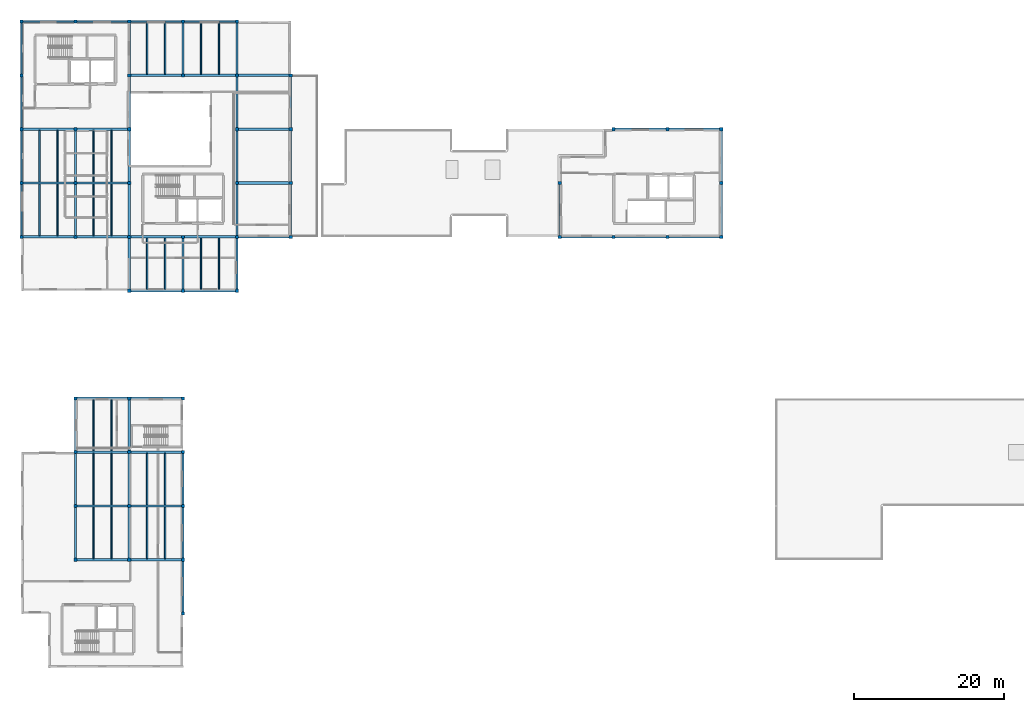
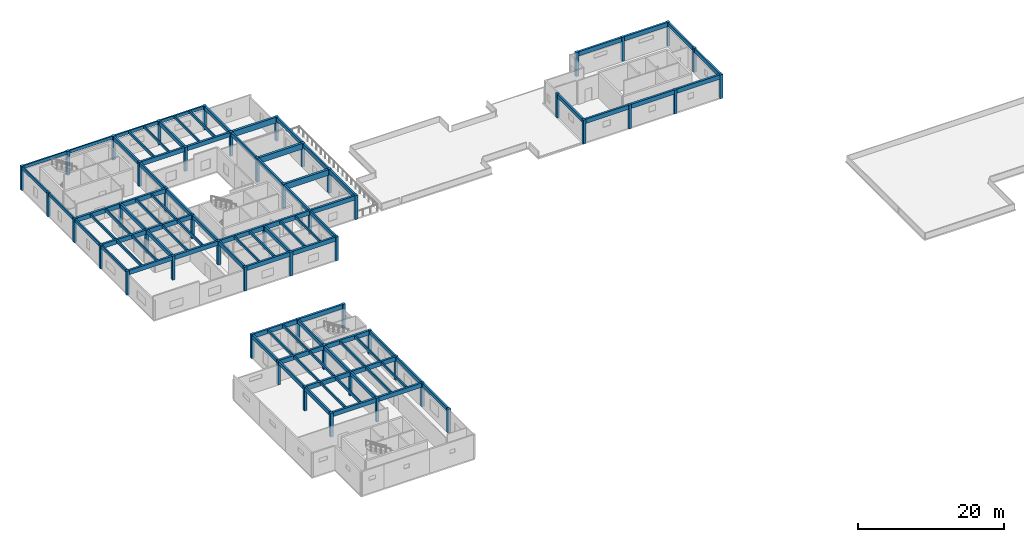
# One storey, part 1 of 15: 92 beams, 51 columns.
"""IFC4 building model written with IfcOpenShell, lengths in metres."""

from ifc_helpers import new_model, si_unit, direction, frame, origin, origin_2d, place, context, subcontext, project, spatial, rectangle, extrude, material, material_profile, profile_set, type_object, element, save


model = new_model("IFC4")

# Units and contexts
model_context = context("Model", 3, precision=1e-05, world=origin(), true_north=direction((0.0, 1.0)))
body_context = subcontext(model_context, "Body", "Model", "MODEL_VIEW")
ifc_project = project(units=[si_unit("LENGTHUNIT", "METRE"), si_unit("AREAUNIT", "SQUARE_METRE"), si_unit("VOLUMEUNIT", "CUBIC_METRE"), si_unit("PLANEANGLEUNIT", "RADIAN"), si_unit("MASSUNIT", "GRAM", prefix="KILO")], contexts=[model_context])

# Site, building, storey
site_placement = place(None, origin())
site = spatial("IfcSite", under=ifc_project, at=site_placement, CompositionType="ELEMENT")
building_placement = place(site_placement, origin())
building = spatial("IfcBuilding", under=site, at=building_placement, Name="Bramvelor Terrace Health Centre", CompositionType="ELEMENT")
storey_placement = place(building_placement, frame((0.0, 0.0, 13.5)))
storey = spatial("IfcBuildingStorey", under=building, at=storey_placement, Name="L04", CompositionType="ELEMENT", Elevation=13.5)

# Columns
ifc_material_1 = material(Name="Glulam GL28h", Category="wood")
ifc_material_profile_1 = material_profile(ifc_material_1, rectangle(XDim=0.419921875, YDim=0.419921875, at=origin_2d()), Name="GL 420x420")
ifc_profile_set_1 = profile_set([ifc_material_profile_1], Name="Glulam GL28h")
column_type_1 = type_object("IfcColumnType", Name="COL-GL-420", PredefinedType="COLUMN", material=ifc_profile_set_1)
for number, where, z_axis, x_axis, name in (
    (1, (7.199951171875, 43.199951171875, 0.0), (0.0, 0.0, 1.0), (1.0, 0.0, 0.0), "L04 Column (7.2, 43.2)"),
    (2, (7.199951171875, 50.39990234375, 0.0), (0.0, 0.0, 1.0), (1.0, 0.0, 0.0), "L04 Column (7.2, 50.4)"),
    (3, (7.199951171875, 57.60009765625, 0.0), (0.0, 0.0, 1.0), (1.0, 0.0, 0.0), "L04 Column (7.2, 57.6)"),
    (4, (7.199951171875, 64.800048828125, 0.0), (0.0, 0.0, 1.0), (1.0, 0.0, 0.0), "L04 Column (7.2, 64.8)"),
    (5, (7.199951171875, 86.39990234375, 0.0), (0.0, 0.0, 1.0), (1.0, 0.0, 0.0), "L04 Column (7.2, 86.4)"),
    (6, (7.199951171875, 93.60009765625, 0.0), (0.0, 0.0, 1.0), (1.0, 0.0, 0.0), "L04 Column (7.2, 93.6)"),
    (7, (7.199951171875, 100.800048828125, 0.0), (0.0, 0.0, 1.0), (1.0, 0.0, 0.0), "L04 Column (7.2, 100.8)"),
    (8, (14.39990234375, 43.199951171875, 0.0), (0.0, 0.0, 1.0), (1.0, 0.0, 0.0), "L04 Column (14.4, 43.2)"),
    (9, (14.39990234375, 50.39990234375, 0.0), (0.0, 0.0, 1.0), (1.0, 0.0, 0.0), "L04 Column (14.4, 50.4)"),
    (10, (14.39990234375, 57.60009765625, 0.0), (0.0, 0.0, 1.0), (1.0, 0.0, 0.0), "L04 Column (14.4, 57.6)"),
    (11, (14.39990234375, 64.800048828125, 0.0), (0.0, 0.0, 1.0), (1.0, 0.0, 0.0), "L04 Column (14.4, 64.8)"),
    (12, (14.39990234375, 79.199951171875, 0.0), (0.0, 0.0, 1.0), (1.0, 0.0, 0.0), "L04 Column (14.4, 79.2)"),
    (13, (14.39990234375, 86.39990234375, 0.0), (0.0, 0.0, 1.0), (1.0, 0.0, 0.0), "L04 Column (14.4, 86.4)"),
    (14, (14.39990234375, 93.60009765625, 0.0), (0.0, 0.0, 1.0), (1.0, 0.0, 0.0), "L04 Column (14.4, 93.6)"),
    (15, (14.39990234375, 100.800048828125, 0.0), (0.0, 0.0, 1.0), (1.0, 0.0, 0.0), "L04 Column (14.4, 100.8)"),
    (16, (14.39990234375, 108.0, 0.0), (0.0, 0.0, 1.0), (1.0, 0.0, 0.0), "L04 Column (14.4, 108.0)"),
    (17, (21.60009765625, 36.0, 0.0), (0.0, 0.0, 1.0), (1.0, 0.0, 0.0), "L04 Column (21.6, 36.0)"),
    (18, (21.60009765625, 43.199951171875, 0.0), (0.0, 0.0, 1.0), (1.0, 0.0, 0.0), "L04 Column (21.6, 43.2)"),
    (19, (21.60009765625, 50.39990234375, 0.0), (0.0, 0.0, 1.0), (1.0, 0.0, 0.0), "L04 Column (21.6, 50.4)"),
    (20, (21.60009765625, 57.60009765625, 0.0), (0.0, 0.0, 1.0), (1.0, 0.0, 0.0), "L04 Column (21.6, 57.6)"),
    (21, (21.60009765625, 64.800048828125, 0.0), (0.0, 0.0, 1.0), (1.0, 0.0, 0.0), "L04 Column (21.6, 64.8)"),
    (22, (21.60009765625, 79.199951171875, 0.0), (0.0, 0.0, 1.0), (1.0, 0.0, 0.0), "L04 Column (21.6, 79.2)"),
    (23, (21.60009765625, 86.39990234375, 0.0), (0.0, 0.0, 1.0), (1.0, 0.0, 0.0), "L04 Column (21.6, 86.4)"),
    (24, (21.60009765625, 108.0, 0.0), (0.0, 0.0, 1.0), (1.0, 0.0, 0.0), "L04 Column (21.6, 108.0)"),
    (25, (28.800048828125, 79.199951171875, 0.0), (0.0, 0.0, 1.0), (1.0, 0.0, 0.0), "L04 Column (28.8, 79.2)"),
    (26, (28.800048828125, 86.39990234375, 0.0), (0.0, 0.0, 1.0), (1.0, 0.0, 0.0), "L04 Column (28.8, 86.4)"),
    (27, (28.800048828125, 93.60009765625, 0.0), (0.0, 0.0, 1.0), (1.0, 0.0, 0.0), "L04 Column (28.8, 93.6)"),
    (28, (28.800048828125, 100.800048828125, 0.0), (0.0, 0.0, 1.0), (1.0, 0.0, 0.0), "L04 Column (28.8, 100.8)"),
    (29, (28.800048828125, 108.0, 0.0), (0.0, 0.0, 1.0), (1.0, 0.0, 0.0), "L04 Column (28.8, 108.0)"),
):
    element("IfcColumn", number, at=place(storey_placement, frame(where, z_axis=z_axis, x_axis=x_axis)), inside=storey, type_object=column_type_1, Name=name, PredefinedType="COLUMN", context=body_context, shape_type="SweptSolid", body=[
        extrude(rectangle(XDim=0.419921875, YDim=0.419921875, at=origin_2d()), origin(), (0.0, 0.0, 1.0), 3.989990234375),
    ])
for number, where, z_axis, x_axis, name in (
    (30, (36.0, 86.39990234375, 0.0), (0.0, 0.0, 1.0), (1.0, 0.0, 0.0), "L04 Column (36.0, 86.4)"),
    (31, (36.0, 93.60009765625, 0.0), (0.0, 0.0, 1.0), (1.0, 0.0, 0.0), "L04 Column (36.0, 93.6)"),
    (32, (36.0, 100.800048828125, 0.0), (0.0, 0.0, 1.0), (1.0, 0.0, 0.0), "L04 Column (36.0, 100.8)"),
    (33, (36.0, 108.0, 0.0), (0.0, 0.0, 1.0), (1.0, 0.0, 0.0), "L04 Column (36.0, 108.0)"),
):
    element("IfcColumn", number, at=place(storey_placement, frame(where, z_axis=z_axis, x_axis=x_axis)), inside=storey, type_object=column_type_1, Name=name, PredefinedType="COLUMN", context=body_context, shape_type="SweptSolid", body=[
        extrude(rectangle(XDim=0.419921875, YDim=0.419921875, at=origin_2d()), origin(), (0.0, 0.0, 1.0), 4.0),
    ])
for number, where, z_axis, x_axis, name in (
    (34, (72.0, 86.39990234375, 0.0), (0.0, 0.0, 1.0), (1.0, 0.0, 0.0), "L04 Column (72.0, 86.4)"),
    (35, (72.0, 93.60009765625, 0.0), (0.0, 0.0, 1.0), (1.0, 0.0, 0.0), "L04 Column (72.0, 93.6)"),
    (36, (79.199951171875, 86.39990234375, 0.0), (0.0, 0.0, 1.0), (1.0, 0.0, 0.0), "L04 Column (79.2, 86.4)"),
    (37, (79.199951171875, 100.800048828125, 0.0), (0.0, 0.0, 1.0), (1.0, 0.0, 0.0), "L04 Column (79.2, 100.8)"),
    (38, (86.39990234375, 86.39990234375, 0.0), (0.0, 0.0, 1.0), (1.0, 0.0, 0.0), "L04 Column (86.4, 86.4)"),
    (39, (86.39990234375, 100.800048828125, 0.0), (0.0, 0.0, 1.0), (1.0, 0.0, 0.0), "L04 Column (86.4, 100.8)"),
    (40, (93.60009765625, 86.39990234375, 0.0), (0.0, 0.0, 1.0), (1.0, 0.0, 0.0), "L04 Column (93.6, 86.4)"),
    (41, (93.60009765625, 93.60009765625, 0.0), (0.0, 0.0, 1.0), (1.0, 0.0, 0.0), "L04 Column (93.6, 93.6)"),
    (42, (93.60009765625, 100.800048828125, 0.0), (0.0, 0.0, 1.0), (1.0, 0.0, 0.0), "L04 Column (93.6, 100.8)"),
):
    element("IfcColumn", number, at=place(storey_placement, frame(where, z_axis=z_axis, x_axis=x_axis)), inside=storey, type_object=column_type_1, Name=name, PredefinedType="COLUMN", context=body_context, shape_type="SweptSolid", body=[
        extrude(rectangle(XDim=0.419921875, YDim=0.419921875, at=origin_2d()), origin(), (0.0, 0.0, 1.0), 3.989990234375),
    ])
ifc_material_2 = material(Name="Glulam GL28h", Category="wood")
ifc_material_profile_2 = material_profile(ifc_material_2, rectangle(XDim=0.419921875, YDim=0.419921875, at=origin_2d()), Name="GL 420x420")
ifc_profile_set_2 = profile_set([ifc_material_profile_2], Name="Glulam GL28h")
column_type_2 = type_object("IfcColumnType", Name="COL-GL-420-EXT", PredefinedType="COLUMN", material=ifc_profile_set_2)
for number, where, z_axis, x_axis, name in (
    (43, (0.0, 86.39990234375, 0.0), (0.0, 0.0, 1.0), (1.0, 0.0, 0.0), "L04 Column (0.0, 86.4)"),
    (44, (0.0, 93.60009765625, 0.0), (0.0, 0.0, 1.0), (1.0, 0.0, 0.0), "L04 Column (0.0, 93.6)"),
    (45, (0.0, 100.800048828125, 0.0), (0.0, 0.0, 1.0), (1.0, 0.0, 0.0), "L04 Column (0.0, 100.8)"),
    (46, (0.0, 108.0, 0.0), (0.0, 0.0, 1.0), (1.0, 0.0, 0.0), "L04 Column (0.0, 108.0)"),
    (47, (0.0, 115.199951171875, 0.0), (0.0, 0.0, 1.0), (1.0, 0.0, 0.0), "L04 Column (0.0, 115.2)"),
    (48, (7.199951171875, 115.199951171875, 0.0), (0.0, 0.0, 1.0), (1.0, 0.0, 0.0), "L04 Column (7.2, 115.2)"),
    (49, (14.39990234375, 115.199951171875, 0.0), (0.0, 0.0, 1.0), (1.0, 0.0, 0.0), "L04 Column (14.4, 115.2)"),
    (50, (21.60009765625, 115.199951171875, 0.0), (0.0, 0.0, 1.0), (1.0, 0.0, 0.0), "L04 Column (21.6, 115.2)"),
    (51, (28.800048828125, 115.199951171875, 0.0), (0.0, 0.0, 1.0), (1.0, 0.0, 0.0), "L04 Column (28.8, 115.2)"),
):
    element("IfcColumn", number, at=place(storey_placement, frame(where, z_axis=z_axis, x_axis=x_axis)), inside=storey, type_object=column_type_2, Name=name, PredefinedType="COLUMN", context=body_context, shape_type="SweptSolid", body=[
        extrude(rectangle(XDim=0.419921875, YDim=0.419921875, at=origin_2d()), origin(), (0.0, 0.0, 1.0), 3.989990234375),
    ])

# Beams
ifc_material_3 = material(Name="Glulam GL28h", Category="wood")
ifc_material_profile_3 = material_profile(ifc_material_3, rectangle(XDim=0.280029296875, YDim=0.639892578125, at=origin_2d()), Name="GL 280x640")
ifc_profile_set_3 = profile_set([ifc_material_profile_3], Name="Glulam GL28h")
beam_type_1 = type_object("IfcBeamType", Name="BM-GL-G640", PredefinedType="BEAM", material=ifc_profile_set_3)
beam_1_placement = place(storey_placement, frame((7.199951171875, 43.409912109375, 3.669921875), z_axis=(0.0, 1.0, 0.0), x_axis=(-1.0, 0.0, 0.0)))
element("IfcBeam", 52, at=beam_1_placement, inside=storey, type_object=beam_type_1, Name="L04 Floor Girder", PredefinedType="BEAM", context=body_context, shape_type="SweptSolid", body=[
    extrude(rectangle(XDim=0.280029296875, YDim=0.639892578125, at=origin_2d()), origin(), (0.0, 0.0, 1.0), 6.780029296875),
])
beam_2_placement = place(storey_placement, frame((7.199951171875, 50.610107421875, 3.669921875), z_axis=(0.0, 1.0, 0.0), x_axis=(-1.0, 0.0, 0.0)))
element("IfcBeam", 53, at=beam_2_placement, inside=storey, type_object=beam_type_1, Name="L04 Floor Girder", PredefinedType="BEAM", context=body_context, shape_type="SweptSolid", body=[
    extrude(rectangle(XDim=0.280029296875, YDim=0.639892578125, at=origin_2d()), origin(), (0.0, 0.0, 1.0), 6.77978515625),
])
beam_3_placement = place(storey_placement, frame((7.199951171875, 57.81005859375, 3.669921875), z_axis=(0.0, 1.0, 0.0), x_axis=(-1.0, 0.0, 0.0)))
element("IfcBeam", 54, at=beam_3_placement, inside=storey, type_object=beam_type_1, Name="L04 Floor Girder", PredefinedType="BEAM", context=body_context, shape_type="SweptSolid", body=[
    extrude(rectangle(XDim=0.280029296875, YDim=0.639892578125, at=origin_2d()), origin(), (0.0, 0.0, 1.0), 6.780029296875),
])
beam_4_placement = place(storey_placement, frame((7.199951171875, 86.610107421875, 3.669921875), z_axis=(0.0, 1.0, 0.0), x_axis=(-1.0, 0.0, 0.0)))
element("IfcBeam", 55, at=beam_4_placement, inside=storey, type_object=beam_type_1, Name="L04 Floor Girder", PredefinedType="BEAM", context=body_context, shape_type="SweptSolid", body=[
    extrude(rectangle(XDim=0.280029296875, YDim=0.639892578125, at=origin_2d()), origin(), (0.0, 0.0, 1.0), 6.77978515625),
])
for number, where, z_axis, x_axis, name in (
    (56, (7.199951171875, 93.81005859375, 3.669921875), (0.0, 1.0, 0.0), (-1.0, 0.0, 0.0), "L04 Floor Girder"),
    (57, (14.39990234375, 43.409912109375, 3.669921875), (0.0, 1.0, 0.0), (-1.0, 0.0, 0.0), "L04 Floor Girder"),
):
    element("IfcBeam", number, at=place(storey_placement, frame(where, z_axis=z_axis, x_axis=x_axis)), inside=storey, type_object=beam_type_1, Name=name, PredefinedType="BEAM", context=body_context, shape_type="SweptSolid", body=[
        extrude(rectangle(XDim=0.280029296875, YDim=0.639892578125, at=origin_2d()), origin(), (0.0, 0.0, 1.0), 6.780029296875),
    ])
beam_5_placement = place(storey_placement, frame((14.39990234375, 50.610107421875, 3.669921875), z_axis=(0.0, 1.0, 0.0), x_axis=(-1.0, 0.0, 0.0)))
element("IfcBeam", 58, at=beam_5_placement, inside=storey, type_object=beam_type_1, Name="L04 Floor Girder", PredefinedType="BEAM", context=body_context, shape_type="SweptSolid", body=[
    extrude(rectangle(XDim=0.280029296875, YDim=0.639892578125, at=origin_2d()), origin(), (0.0, 0.0, 1.0), 6.77978515625),
])
for number, where, z_axis, x_axis, name in (
    (59, (14.39990234375, 57.81005859375, 3.669921875), (0.0, 1.0, 0.0), (-1.0, 0.0, 0.0), "L04 Floor Girder"),
    (60, (14.39990234375, 79.409912109375, 3.669921875), (0.0, 1.0, 0.0), (-1.0, 0.0, 0.0), "L04 Floor Girder"),
):
    element("IfcBeam", number, at=place(storey_placement, frame(where, z_axis=z_axis, x_axis=x_axis)), inside=storey, type_object=beam_type_1, Name=name, PredefinedType="BEAM", context=body_context, shape_type="SweptSolid", body=[
        extrude(rectangle(XDim=0.280029296875, YDim=0.639892578125, at=origin_2d()), origin(), (0.0, 0.0, 1.0), 6.780029296875),
    ])
beam_6_placement = place(storey_placement, frame((14.39990234375, 86.610107421875, 3.669921875), z_axis=(0.0, 1.0, 0.0), x_axis=(-1.0, 0.0, 0.0)))
element("IfcBeam", 61, at=beam_6_placement, inside=storey, type_object=beam_type_1, Name="L04 Floor Girder", PredefinedType="BEAM", context=body_context, shape_type="SweptSolid", body=[
    extrude(rectangle(XDim=0.280029296875, YDim=0.639892578125, at=origin_2d()), origin(), (0.0, 0.0, 1.0), 6.77978515625),
])
for number, where, z_axis, x_axis, name in (
    (62, (14.39990234375, 93.81005859375, 3.669921875), (0.0, 1.0, 0.0), (-1.0, 0.0, 0.0), "L04 Floor Girder"),
    (63, (14.39990234375, 101.010009765625, 3.669921875), (0.0, 1.0, 0.0), (-1.0, 0.0, 0.0), "L04 Floor Girder"),
    (64, (14.39990234375, 108.2099609375, 3.669921875), (0.0, 1.0, 0.0), (-1.0, 0.0, 0.0), "L04 Floor Girder"),
    (65, (21.60009765625, 36.2099609375, 3.669921875), (0.0, 1.0, 0.0), (-1.0, 0.0, 0.0), "L04 Floor Girder"),
    (66, (21.60009765625, 43.409912109375, 3.669921875), (0.0, 1.0, 0.0), (-1.0, 0.0, 0.0), "L04 Floor Girder"),
):
    element("IfcBeam", number, at=place(storey_placement, frame(where, z_axis=z_axis, x_axis=x_axis)), inside=storey, type_object=beam_type_1, Name=name, PredefinedType="BEAM", context=body_context, shape_type="SweptSolid", body=[
        extrude(rectangle(XDim=0.280029296875, YDim=0.639892578125, at=origin_2d()), origin(), (0.0, 0.0, 1.0), 6.780029296875),
    ])
beam_7_placement = place(storey_placement, frame((21.60009765625, 50.610107421875, 3.669921875), z_axis=(0.0, 1.0, 0.0), x_axis=(-1.0, 0.0, 0.0)))
element("IfcBeam", 67, at=beam_7_placement, inside=storey, type_object=beam_type_1, Name="L04 Floor Girder", PredefinedType="BEAM", context=body_context, shape_type="SweptSolid", body=[
    extrude(rectangle(XDim=0.280029296875, YDim=0.639892578125, at=origin_2d()), origin(), (0.0, 0.0, 1.0), 6.77978515625),
])
for number, where, z_axis, x_axis, name in (
    (68, (21.60009765625, 79.409912109375, 3.669921875), (0.0, 1.0, 0.0), (-1.0, 0.0, 0.0), "L04 Floor Girder"),
    (69, (21.60009765625, 108.2099609375, 3.669921875), (0.0, 1.0, 0.0), (-1.0, 0.0, 0.0), "L04 Floor Girder"),
    (70, (28.800048828125, 79.409912109375, 3.669921875), (0.0, 1.0, 0.0), (-1.0, 0.0, 0.0), "L04 Floor Girder"),
):
    element("IfcBeam", number, at=place(storey_placement, frame(where, z_axis=z_axis, x_axis=x_axis)), inside=storey, type_object=beam_type_1, Name=name, PredefinedType="BEAM", context=body_context, shape_type="SweptSolid", body=[
        extrude(rectangle(XDim=0.280029296875, YDim=0.639892578125, at=origin_2d()), origin(), (0.0, 0.0, 1.0), 6.780029296875),
    ])
beam_8_placement = place(storey_placement, frame((28.800048828125, 86.610107421875, 3.669921875), z_axis=(0.0, 1.0, 0.0), x_axis=(-1.0, 0.0, 0.0)))
element("IfcBeam", 71, at=beam_8_placement, inside=storey, type_object=beam_type_1, Name="L04 Floor Girder", PredefinedType="BEAM", context=body_context, shape_type="SweptSolid", body=[
    extrude(rectangle(XDim=0.280029296875, YDim=0.639892578125, at=origin_2d()), origin(), (0.0, 0.0, 1.0), 6.77978515625),
])
for number, where, z_axis, x_axis, name in (
    (72, (28.800048828125, 93.81005859375, 3.669921875), (0.0, 1.0, 0.0), (-1.0, 0.0, 0.0), "L04 Floor Girder"),
    (73, (28.800048828125, 101.010009765625, 3.669921875), (0.0, 1.0, 0.0), (-1.0, 0.0, 0.0), "L04 Floor Girder"),
    (74, (28.800048828125, 108.2099609375, 3.669921875), (0.0, 1.0, 0.0), (-1.0, 0.0, 0.0), "L04 Floor Girder"),
):
    element("IfcBeam", number, at=place(storey_placement, frame(where, z_axis=z_axis, x_axis=x_axis)), inside=storey, type_object=beam_type_1, Name=name, PredefinedType="BEAM", context=body_context, shape_type="SweptSolid", body=[
        extrude(rectangle(XDim=0.280029296875, YDim=0.639892578125, at=origin_2d()), origin(), (0.0, 0.0, 1.0), 6.780029296875),
    ])
beam_9_placement = place(storey_placement, frame((36.0, 86.610107421875, 3.679931640625), z_axis=(0.0, 1.0, 0.0), x_axis=(-1.0, 0.0, 0.0)))
element("IfcBeam", 75, at=beam_9_placement, inside=storey, type_object=beam_type_1, Name="L04 Floor Girder", PredefinedType="BEAM", context=body_context, shape_type="SweptSolid", body=[
    extrude(rectangle(XDim=0.280029296875, YDim=0.639892578125, at=origin_2d()), origin(), (0.0, 0.0, 1.0), 6.77978515625),
])
for number, where, z_axis, x_axis, name in (
    (76, (36.0, 93.81005859375, 3.679931640625), (0.0, 1.0, 0.0), (-1.0, 0.0, 0.0), "L04 Floor Girder"),
    (77, (36.0, 101.010009765625, 3.679931640625), (0.0, 1.0, 0.0), (-1.0, 0.0, 0.0), "L04 Floor Girder"),
):
    element("IfcBeam", number, at=place(storey_placement, frame(where, z_axis=z_axis, x_axis=x_axis)), inside=storey, type_object=beam_type_1, Name=name, PredefinedType="BEAM", context=body_context, shape_type="SweptSolid", body=[
        extrude(rectangle(XDim=0.280029296875, YDim=0.639892578125, at=origin_2d()), origin(), (0.0, 0.0, 1.0), 6.780029296875),
    ])
for number, where, z_axis, x_axis, name in (
    (78, (72.0, 86.610107421875, 3.669921875), (0.0, 1.0, 0.0), (-1.0, 0.0, 0.0), "L04 Floor Girder"),
    (79, (93.60009765625, 86.610107421875, 3.669921875), (0.0, 1.0, 0.0), (-1.0, 0.0, 0.0), "L04 Floor Girder"),
):
    element("IfcBeam", number, at=place(storey_placement, frame(where, z_axis=z_axis, x_axis=x_axis)), inside=storey, type_object=beam_type_1, Name=name, PredefinedType="BEAM", context=body_context, shape_type="SweptSolid", body=[
        extrude(rectangle(XDim=0.280029296875, YDim=0.639892578125, at=origin_2d()), origin(), (0.0, 0.0, 1.0), 6.77978515625),
    ])
beam_10_placement = place(storey_placement, frame((93.60009765625, 93.81005859375, 3.669921875), z_axis=(0.0, 1.0, 0.0), x_axis=(-1.0, 0.0, 0.0)))
element("IfcBeam", 80, at=beam_10_placement, inside=storey, type_object=beam_type_1, Name="L04 Floor Girder", PredefinedType="BEAM", context=body_context, shape_type="SweptSolid", body=[
    extrude(rectangle(XDim=0.280029296875, YDim=0.639892578125, at=origin_2d()), origin(), (0.0, 0.0, 1.0), 6.780029296875),
])
ifc_material_4 = material(Name="Glulam GL28h", Category="wood")
ifc_material_profile_4 = material_profile(ifc_material_4, rectangle(XDim=0.320068359375, YDim=0.719970703125, at=origin_2d()), Name="GL 320x720")
ifc_profile_set_4 = profile_set([ifc_material_profile_4], Name="Glulam GL28h")
beam_type_2 = type_object("IfcBeamType", Name="BM-GL-G720", PredefinedType="BEAM", material=ifc_profile_set_4)
for number, where, z_axis, x_axis, name in (
    (81, (0.2099609375, 86.39990234375, 3.6298828125), (1.0, 0.0, 0.0), (0.0, 1.0, 0.0), "L04 Floor Girder"),
    (82, (0.2099609375, 93.60009765625, 3.6298828125), (1.0, 0.0, 0.0), (0.0, 1.0, 0.0), "L04 Floor Girder"),
    (83, (0.2099609375, 100.800048828125, 3.6298828125), (1.0, 0.0, 0.0), (0.0, 1.0, 0.0), "L04 Floor Girder"),
    (84, (7.409912109375, 43.199951171875, 3.6298828125), (1.0, 0.0, 0.0), (0.0, 1.0, 0.0), "L04 Floor Girder"),
    (85, (7.409912109375, 50.39990234375, 3.6298828125), (1.0, 0.0, 0.0), (0.0, 1.0, 0.0), "L04 Floor Girder"),
    (86, (7.409912109375, 57.60009765625, 3.6298828125), (1.0, 0.0, 0.0), (0.0, 1.0, 0.0), "L04 Floor Girder"),
    (87, (7.409912109375, 64.800048828125, 3.6298828125), (1.0, 0.0, 0.0), (0.0, 1.0, 0.0), "L04 Floor Girder"),
    (88, (7.409912109375, 86.39990234375, 3.6298828125), (1.0, 0.0, 0.0), (0.0, 1.0, 0.0), "L04 Floor Girder"),
    (89, (7.409912109375, 93.60009765625, 3.6298828125), (1.0, 0.0, 0.0), (0.0, 1.0, 0.0), "L04 Floor Girder"),
    (90, (7.409912109375, 100.800048828125, 3.6298828125), (1.0, 0.0, 0.0), (0.0, 1.0, 0.0), "L04 Floor Girder"),
):
    element("IfcBeam", number, at=place(storey_placement, frame(where, z_axis=z_axis, x_axis=x_axis)), inside=storey, type_object=beam_type_2, Name=name, PredefinedType="BEAM", context=body_context, shape_type="SweptSolid", body=[
        extrude(rectangle(XDim=0.320068359375, YDim=0.719970703125, at=origin_2d()), origin(), (0.0, 0.0, 1.0), 6.780029296875),
    ])
for number, where, z_axis, x_axis, name in (
    (91, (14.610107421875, 43.199951171875, 3.6298828125), (1.0, 0.0, 0.0), (0.0, 1.0, 0.0), "L04 Floor Girder"),
    (92, (14.610107421875, 50.39990234375, 3.6298828125), (1.0, 0.0, 0.0), (0.0, 1.0, 0.0), "L04 Floor Girder"),
    (93, (14.610107421875, 57.60009765625, 3.6298828125), (1.0, 0.0, 0.0), (0.0, 1.0, 0.0), "L04 Floor Girder"),
    (94, (14.610107421875, 64.800048828125, 3.6298828125), (1.0, 0.0, 0.0), (0.0, 1.0, 0.0), "L04 Floor Girder"),
    (95, (14.610107421875, 79.199951171875, 3.6298828125), (1.0, 0.0, 0.0), (0.0, 1.0, 0.0), "L04 Floor Girder"),
    (96, (14.610107421875, 86.39990234375, 3.6298828125), (1.0, 0.0, 0.0), (0.0, 1.0, 0.0), "L04 Floor Girder"),
    (97, (14.610107421875, 108.0, 3.6298828125), (1.0, 0.0, 0.0), (0.0, 1.0, 0.0), "L04 Floor Girder"),
):
    element("IfcBeam", number, at=place(storey_placement, frame(where, z_axis=z_axis, x_axis=x_axis)), inside=storey, type_object=beam_type_2, Name=name, PredefinedType="BEAM", context=body_context, shape_type="SweptSolid", body=[
        extrude(rectangle(XDim=0.320068359375, YDim=0.719970703125, at=origin_2d()), origin(), (0.0, 0.0, 1.0), 6.77978515625),
    ])
for number, where, z_axis, x_axis, name in (
    (98, (21.81005859375, 79.199951171875, 3.6298828125), (1.0, 0.0, 0.0), (0.0, 1.0, 0.0), "L04 Floor Girder"),
    (99, (21.81005859375, 86.39990234375, 3.6298828125), (1.0, 0.0, 0.0), (0.0, 1.0, 0.0), "L04 Floor Girder"),
    (100, (21.81005859375, 108.0, 3.6298828125), (1.0, 0.0, 0.0), (0.0, 1.0, 0.0), "L04 Floor Girder"),
    (101, (29.010009765625, 86.39990234375, 3.6298828125), (1.0, 0.0, 0.0), (0.0, 1.0, 0.0), "L04 Floor Girder"),
    (102, (72.2099609375, 86.39990234375, 3.6298828125), (1.0, 0.0, 0.0), (0.0, 1.0, 0.0), "L04 Floor Girder"),
    (103, (79.409912109375, 86.39990234375, 3.6298828125), (1.0, 0.0, 0.0), (0.0, 1.0, 0.0), "L04 Floor Girder"),
    (104, (79.409912109375, 100.800048828125, 3.6298828125), (1.0, 0.0, 0.0), (0.0, 1.0, 0.0), "L04 Floor Girder"),
):
    element("IfcBeam", number, at=place(storey_placement, frame(where, z_axis=z_axis, x_axis=x_axis)), inside=storey, type_object=beam_type_2, Name=name, PredefinedType="BEAM", context=body_context, shape_type="SweptSolid", body=[
        extrude(rectangle(XDim=0.320068359375, YDim=0.719970703125, at=origin_2d()), origin(), (0.0, 0.0, 1.0), 6.780029296875),
    ])
for number, where, z_axis, x_axis, name in (
    (105, (86.610107421875, 86.39990234375, 3.6298828125), (1.0, 0.0, 0.0), (0.0, 1.0, 0.0), "L04 Floor Girder"),
    (106, (86.610107421875, 100.800048828125, 3.6298828125), (1.0, 0.0, 0.0), (0.0, 1.0, 0.0), "L04 Floor Girder"),
):
    element("IfcBeam", number, at=place(storey_placement, frame(where, z_axis=z_axis, x_axis=x_axis)), inside=storey, type_object=beam_type_2, Name=name, PredefinedType="BEAM", context=body_context, shape_type="SweptSolid", body=[
        extrude(rectangle(XDim=0.320068359375, YDim=0.719970703125, at=origin_2d()), origin(), (0.0, 0.0, 1.0), 6.77978515625),
    ])
ifc_material_5 = material(Name="Glulam GL28h", Category="wood")
ifc_material_profile_5 = material_profile(ifc_material_5, rectangle(XDim=0.199951171875, YDim=0.43994140625, at=origin_2d()), Name="GL 200x440")
ifc_profile_set_5 = profile_set([ifc_material_profile_5], Name="Glulam GL28h")
beam_type_3 = type_object("IfcBeamType", Name="BM-GL-J440", PredefinedType="JOIST", material=ifc_profile_set_5)
for number, where, z_axis, x_axis, name in (
    (107, (2.39990234375, 86.56005859375, 3.77001953125), (0.0, 1.0, 0.0), (-1.0, 0.0, 0.0), "L04 Secondary Floor Joist"),
    (108, (4.800048828125, 86.56005859375, 3.77001953125), (0.0, 1.0, 0.0), (-1.0, 0.0, 0.0), "L04 Secondary Floor Joist"),
    (109, (2.39990234375, 93.760009765625, 3.77001953125), (0.0, 1.0, 0.0), (-1.0, 0.0, 0.0), "L04 Secondary Floor Joist"),
    (110, (4.800048828125, 93.760009765625, 3.77001953125), (0.0, 1.0, 0.0), (-1.0, 0.0, 0.0), "L04 Secondary Floor Joist"),
    (111, (9.60009765625, 43.360107421875, 3.77001953125), (0.0, 1.0, 0.0), (-1.0, 0.0, 0.0), "L04 Secondary Floor Joist"),
    (112, (12.0, 43.360107421875, 3.77001953125), (0.0, 1.0, 0.0), (-1.0, 0.0, 0.0), "L04 Secondary Floor Joist"),
    (113, (9.60009765625, 50.56005859375, 3.77001953125), (0.0, 1.0, 0.0), (-1.0, 0.0, 0.0), "L04 Secondary Floor Joist"),
    (114, (12.0, 50.56005859375, 3.77001953125), (0.0, 1.0, 0.0), (-1.0, 0.0, 0.0), "L04 Secondary Floor Joist"),
    (115, (9.60009765625, 57.760009765625, 3.77001953125), (0.0, 1.0, 0.0), (-1.0, 0.0, 0.0), "L04 Secondary Floor Joist"),
    (116, (12.0, 57.760009765625, 3.77001953125), (0.0, 1.0, 0.0), (-1.0, 0.0, 0.0), "L04 Secondary Floor Joist"),
    (117, (9.60009765625, 86.56005859375, 3.77001953125), (0.0, 1.0, 0.0), (-1.0, 0.0, 0.0), "L04 Secondary Floor Joist"),
    (118, (12.0, 86.56005859375, 3.77001953125), (0.0, 1.0, 0.0), (-1.0, 0.0, 0.0), "L04 Secondary Floor Joist"),
    (119, (9.60009765625, 93.760009765625, 3.77001953125), (0.0, 1.0, 0.0), (-1.0, 0.0, 0.0), "L04 Secondary Floor Joist"),
    (120, (12.0, 93.760009765625, 3.77001953125), (0.0, 1.0, 0.0), (-1.0, 0.0, 0.0), "L04 Secondary Floor Joist"),
    (121, (16.800048828125, 43.360107421875, 3.77001953125), (0.0, 1.0, 0.0), (-1.0, 0.0, 0.0), "L04 Secondary Floor Joist"),
    (122, (19.199951171875, 43.360107421875, 3.77001953125), (0.0, 1.0, 0.0), (-1.0, 0.0, 0.0), "L04 Secondary Floor Joist"),
    (123, (16.800048828125, 50.56005859375, 3.77001953125), (0.0, 1.0, 0.0), (-1.0, 0.0, 0.0), "L04 Secondary Floor Joist"),
    (124, (19.199951171875, 50.56005859375, 3.77001953125), (0.0, 1.0, 0.0), (-1.0, 0.0, 0.0), "L04 Secondary Floor Joist"),
    (125, (16.800048828125, 79.360107421875, 3.77001953125), (0.0, 1.0, 0.0), (-1.0, 0.0, 0.0), "L04 Secondary Floor Joist"),
    (126, (19.199951171875, 79.360107421875, 3.77001953125), (0.0, 1.0, 0.0), (-1.0, 0.0, 0.0), "L04 Secondary Floor Joist"),
):
    element("IfcBeam", number, at=place(storey_placement, frame(where, z_axis=z_axis, x_axis=x_axis)), inside=storey, type_object=beam_type_3, Name=name, PredefinedType="JOIST", context=body_context, shape_type="SweptSolid", body=[
        extrude(rectangle(XDim=0.199951171875, YDim=0.43994140625, at=origin_2d()), origin(), (0.0, 0.0, 1.0), 6.8798828125),
    ])
for number, where, z_axis, x_axis, name in (
    (127, (16.800048828125, 108.159912109375, 3.77001953125), (0.0, 1.0, 0.0), (-1.0, 0.0, 0.0), "L04 Secondary Floor Joist"),
    (128, (19.199951171875, 108.159912109375, 3.77001953125), (0.0, 1.0, 0.0), (-1.0, 0.0, 0.0), "L04 Secondary Floor Joist"),
):
    element("IfcBeam", number, at=place(storey_placement, frame(where, z_axis=z_axis, x_axis=x_axis)), inside=storey, type_object=beam_type_3, Name=name, PredefinedType="JOIST", context=body_context, shape_type="SweptSolid", body=[
        extrude(rectangle(XDim=0.199951171875, YDim=0.43994140625, at=origin_2d()), origin(), (0.0, 0.0, 1.0), 6.93017578125),
    ])
for number, where, z_axis, x_axis, name in (
    (129, (24.0, 79.360107421875, 3.77001953125), (0.0, 1.0, 0.0), (-1.0, 0.0, 0.0), "L04 Secondary Floor Joist"),
    (130, (26.39990234375, 79.360107421875, 3.77001953125), (0.0, 1.0, 0.0), (-1.0, 0.0, 0.0), "L04 Secondary Floor Joist"),
):
    element("IfcBeam", number, at=place(storey_placement, frame(where, z_axis=z_axis, x_axis=x_axis)), inside=storey, type_object=beam_type_3, Name=name, PredefinedType="JOIST", context=body_context, shape_type="SweptSolid", body=[
        extrude(rectangle(XDim=0.199951171875, YDim=0.43994140625, at=origin_2d()), origin(), (0.0, 0.0, 1.0), 6.8798828125),
    ])
for number, where, z_axis, x_axis, name in (
    (131, (24.0, 108.159912109375, 3.77001953125), (0.0, 1.0, 0.0), (-1.0, 0.0, 0.0), "L04 Secondary Floor Joist"),
    (132, (26.39990234375, 108.159912109375, 3.77001953125), (0.0, 1.0, 0.0), (-1.0, 0.0, 0.0), "L04 Secondary Floor Joist"),
):
    element("IfcBeam", number, at=place(storey_placement, frame(where, z_axis=z_axis, x_axis=x_axis)), inside=storey, type_object=beam_type_3, Name=name, PredefinedType="JOIST", context=body_context, shape_type="SweptSolid", body=[
        extrude(rectangle(XDim=0.199951171875, YDim=0.43994140625, at=origin_2d()), origin(), (0.0, 0.0, 1.0), 6.93017578125),
    ])
ifc_material_6 = material(Name="Glulam GL28h", Category="wood")
ifc_material_profile_6 = material_profile(ifc_material_6, rectangle(XDim=0.219970703125, YDim=0.52001953125, at=origin_2d()), Name="GL 220x520")
ifc_profile_set_6 = profile_set([ifc_material_profile_6], Name="Glulam GL28h")
beam_type_4 = type_object("IfcBeamType", Name="BM-GL-SP520-EXT", PredefinedType="SPANDREL", material=ifc_profile_set_6)
beam_11_placement = place(storey_placement, frame((0.0, 86.610107421875, 3.72998046875), z_axis=(0.0, 1.0, 0.0), x_axis=(-1.0, 0.0, 0.0)))
element("IfcBeam", 133, at=beam_11_placement, inside=storey, type_object=beam_type_4, Name="L04 Floor Girder", PredefinedType="SPANDREL", context=body_context, shape_type="SweptSolid", body=[
    extrude(rectangle(XDim=0.219970703125, YDim=0.52001953125, at=origin_2d()), origin(), (0.0, 0.0, 1.0), 6.77978515625),
])
for number, where, z_axis, x_axis, name in (
    (134, (0.0, 93.81005859375, 3.72998046875), (0.0, 1.0, 0.0), (-1.0, 0.0, 0.0), "L04 Floor Girder"),
    (135, (0.0, 101.010009765625, 3.72998046875), (0.0, 1.0, 0.0), (-1.0, 0.0, 0.0), "L04 Floor Girder"),
    (136, (0.0, 108.2099609375, 3.72998046875), (0.0, 1.0, 0.0), (-1.0, 0.0, 0.0), "L04 Floor Girder"),
    (137, (0.2099609375, 115.199951171875, 3.72998046875), (1.0, 0.0, 0.0), (0.0, 1.0, 0.0), "L04 Floor Girder"),
    (138, (7.409912109375, 115.199951171875, 3.72998046875), (1.0, 0.0, 0.0), (0.0, 1.0, 0.0), "L04 Floor Girder"),
):
    element("IfcBeam", number, at=place(storey_placement, frame(where, z_axis=z_axis, x_axis=x_axis)), inside=storey, type_object=beam_type_4, Name=name, PredefinedType="SPANDREL", context=body_context, shape_type="SweptSolid", body=[
        extrude(rectangle(XDim=0.219970703125, YDim=0.52001953125, at=origin_2d()), origin(), (0.0, 0.0, 1.0), 6.780029296875),
    ])
beam_12_placement = place(storey_placement, frame((14.610107421875, 115.199951171875, 3.72998046875), z_axis=(1.0, 0.0, 0.0), x_axis=(0.0, 1.0, 0.0)))
element("IfcBeam", 139, at=beam_12_placement, inside=storey, type_object=beam_type_4, Name="L04 Floor Girder", PredefinedType="SPANDREL", context=body_context, shape_type="SweptSolid", body=[
    extrude(rectangle(XDim=0.219970703125, YDim=0.52001953125, at=origin_2d()), origin(), (0.0, 0.0, 1.0), 6.77978515625),
])
beam_13_placement = place(storey_placement, frame((21.81005859375, 115.199951171875, 3.72998046875), z_axis=(1.0, 0.0, 0.0), x_axis=(0.0, 1.0, 0.0)))
element("IfcBeam", 140, at=beam_13_placement, inside=storey, type_object=beam_type_4, Name="L04 Floor Girder", PredefinedType="SPANDREL", context=body_context, shape_type="SweptSolid", body=[
    extrude(rectangle(XDim=0.219970703125, YDim=0.52001953125, at=origin_2d()), origin(), (0.0, 0.0, 1.0), 6.780029296875),
])
ifc_material_7 = material(Name="Glulam GL28h", Category="wood")
ifc_material_profile_7 = material_profile(ifc_material_7, rectangle(XDim=0.360107421875, YDim=0.9599609375, at=origin_2d()), Name="GL 360x960")
ifc_profile_set_7 = profile_set([ifc_material_profile_7], Name="Glulam GL28h")
beam_type_5 = type_object("IfcBeamType", Name="BM-GL-TG960", PredefinedType="BEAM", material=ifc_profile_set_7)
for number, where, z_axis, x_axis, name in (
    (141, (29.010009765625, 93.60009765625, 3.510009765625), (1.0, 0.0, 0.0), (0.0, 1.0, 0.0), "L04 Half-Bay Setback Transfer Girder"),
    (142, (29.010009765625, 100.800048828125, 3.510009765625), (1.0, 0.0, 0.0), (0.0, 1.0, 0.0), "L04 Half-Bay Setback Transfer Girder"),
    (143, (29.010009765625, 108.0, 3.510009765625), (1.0, 0.0, 0.0), (0.0, 1.0, 0.0), "L04 Half-Bay Setback Transfer Girder"),
):
    element("IfcBeam", number, at=place(storey_placement, frame(where, z_axis=z_axis, x_axis=x_axis)), inside=storey, type_object=beam_type_5, Name=name, PredefinedType="BEAM", context=body_context, shape_type="SweptSolid", body=[
        extrude(rectangle(XDim=0.360107421875, YDim=0.9599609375, at=origin_2d()), origin(), (0.0, 0.0, 1.0), 6.780029296875),
    ])

save(model, "model.ifc")
